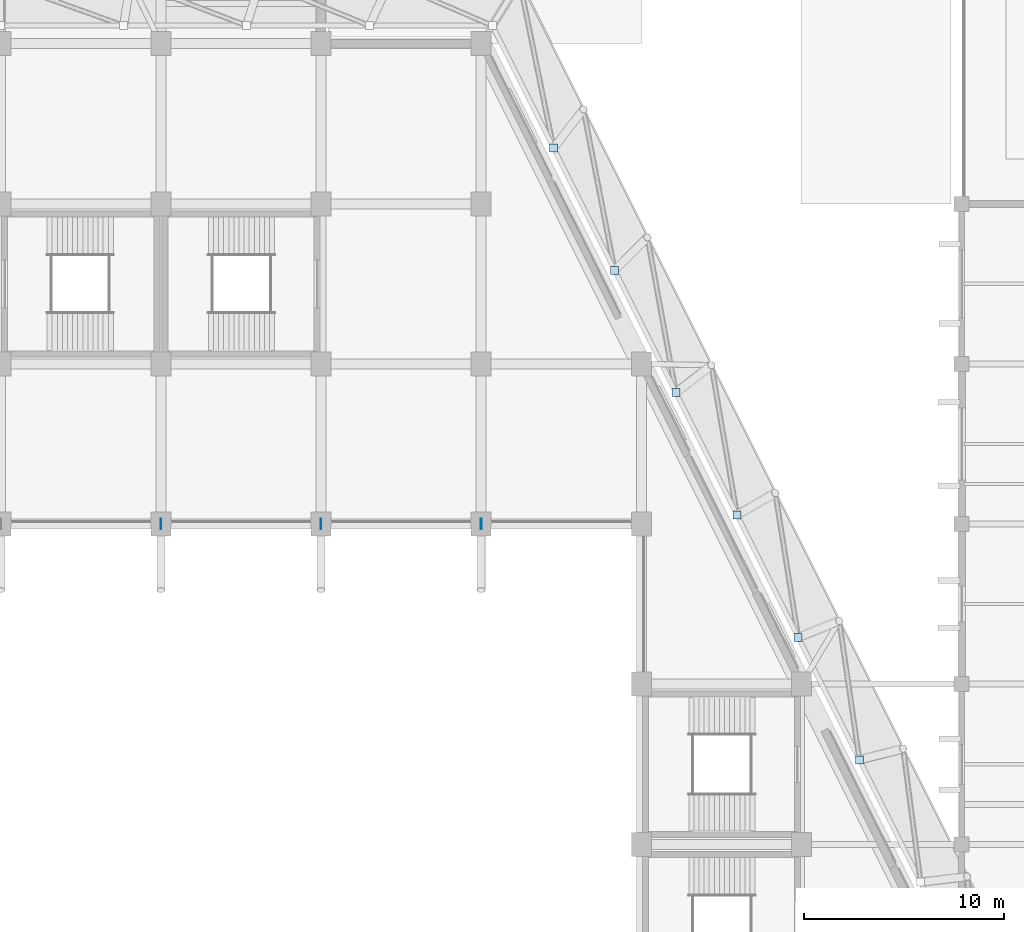
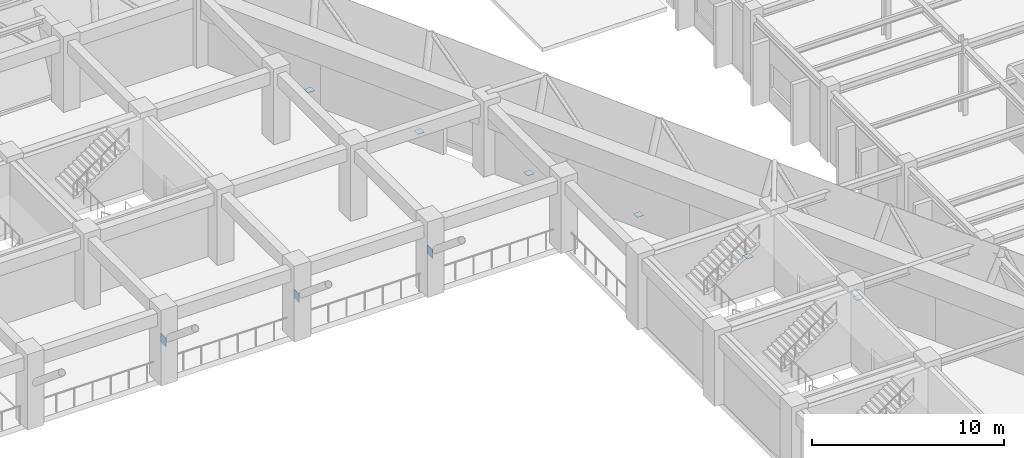
# One storey, part 26 of 46: 9 plates.
"""IFC4 building model written with IfcOpenShell, lengths in metres."""

from ifc_helpers import new_model, si_unit, direction, frame, origin, origin_2d, place, context, subcontext, project, spatial, rectangle, extrude, material, layer, layer_set, type_object, element, save


model = new_model("IFC4")

# Units and contexts
model_context = context("Model", 3, precision=1e-05, world=origin(), true_north=direction((0.0, 1.0)))
body_context = subcontext(model_context, "Body", "Model", "MODEL_VIEW")
ifc_project = project(units=[si_unit("LENGTHUNIT", "METRE"), si_unit("AREAUNIT", "SQUARE_METRE"), si_unit("VOLUMEUNIT", "CUBIC_METRE"), si_unit("PLANEANGLEUNIT", "RADIAN"), si_unit("MASSUNIT", "GRAM", prefix="KILO")], contexts=[model_context])

# Site, building, storey
site_placement = place(None, origin())
site = spatial("IfcSite", under=ifc_project, at=site_placement, CompositionType="ELEMENT")
building_placement = place(site_placement, origin())
building = spatial("IfcBuilding", under=site, at=building_placement, Name="Tazarka Park Arena", CompositionType="ELEMENT")
storey_placement = place(building_placement, frame((0.0, 0.0, 10.199951171875)))
storey = spatial("IfcBuildingStorey", under=building, at=storey_placement, Name="L02", CompositionType="ELEMENT", Elevation=10.199951171875)

# Plates
ifc_material_1 = material(Name="Steel S460", Category="steel")
ifc_layer_1 = layer(ifc_material_1, 0.031982421875, Name="Steel S460")
ifc_layer_set_1 = layer_set([ifc_layer_1], Name="Steel S460")
plate_type_1 = type_object("IfcPlateType", Name="PLT-PL-12", PredefinedType="USERDEFINED", material=ifc_layer_set_1)
for number, where, z_axis, x_axis, name in (
    (1, (96.0, 88.0, 2.130126953125), (0.0, 0.0, 1.0), (1.0, 0.0, 0.0), "RKP-N-12-1"),
    (2, (104.0, 88.0, 2.130126953125), (0.0, 0.0, 1.0), (1.0, 0.0, 0.0), "RKP-N-13-1"),
    (3, (112.0, 88.0, 2.130126953125), (0.0, 0.0, 1.0), (1.0, 0.0, 0.0), "RKP-N-14-1"),
):
    element("IfcPlate", number, at=place(storey_placement, frame(where, z_axis=z_axis, x_axis=x_axis)), inside=storey, type_object=plate_type_1, Name=name, ObjectType="STIFFENER", PredefinedType="USERDEFINED", context=body_context, shape_type="SweptSolid", body=[
        extrude(rectangle(XDim=0.031982421875, YDim=0.5400390625, at=origin_2d()), origin(), (0.0, 0.0, 1.0), 0.5400390625),
    ])
ifc_material_2 = material(Name="Steel S460", Category="steel")
ifc_layer_2 = layer(ifc_material_2, 0.02587890625, Name="Steel S460")
ifc_layer_set_2 = layer_set([ifc_layer_2], Name="Steel S460")
plate_type_2 = type_object("IfcPlateType", Name="PLT-PL-14", PredefinedType="USERDEFINED", material=ifc_layer_set_2)
for number, where, z_axis, x_axis, name in (
    (4, (130.893798828125, 76.22509765625, -0.012939453125), (0.0, 0.0, 1.0), (1.0, 0.0, 0.0), "GMP-B-18"),
    (5, (127.83740234375, 82.33740234375, -0.012939453125), (0.0, 0.0, 1.0), (1.0, 0.0, 0.0), "GMP-B-19"),
    (6, (124.78125, 88.449951171875, -0.012939453125), (0.0, 0.0, 1.0), (1.0, 0.0, 0.0), "GMP-B-20"),
    (7, (121.72509765625, 94.5625, -0.012939453125), (0.0, 0.0, 1.0), (1.0, 0.0, 0.0), "GMP-B-21"),
    (8, (118.668701171875, 100.675048828125, -0.012939453125), (0.0, 0.0, 1.0), (1.0, 0.0, 0.0), "GMP-B-22"),
    (9, (115.6123046875, 106.78759765625, -0.012939453125), (0.0, 0.0, 1.0), (1.0, 0.0, 0.0), "GMP-B-23"),
):
    element("IfcPlate", number, at=place(storey_placement, frame(where, z_axis=z_axis, x_axis=x_axis)), inside=storey, type_object=plate_type_2, Name=name, ObjectType="STIFFENER", PredefinedType="USERDEFINED", context=body_context, shape_type="SweptSolid", body=[
        extrude(rectangle(XDim=0.39990234375, YDim=0.39990234375, at=origin_2d()), origin(), (0.0, 0.0, 1.0), 0.02587890625),
    ])

save(model, "model.ifc")
